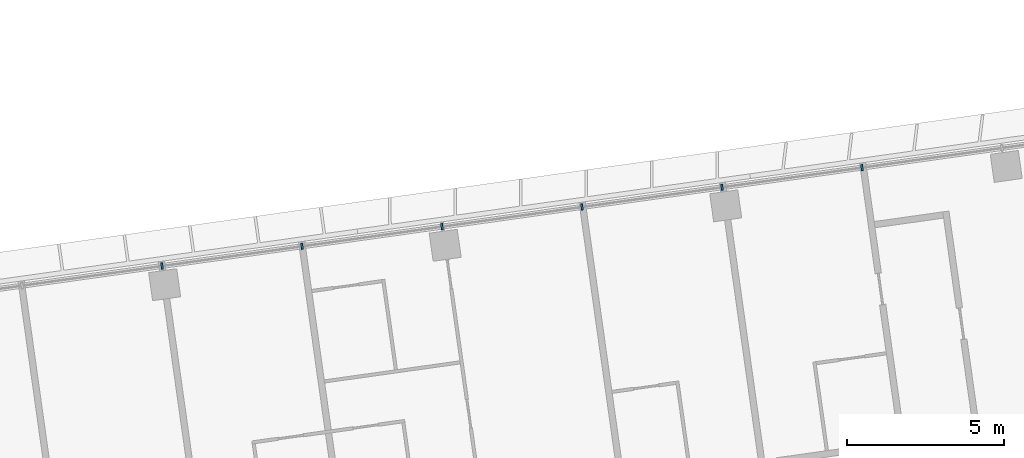
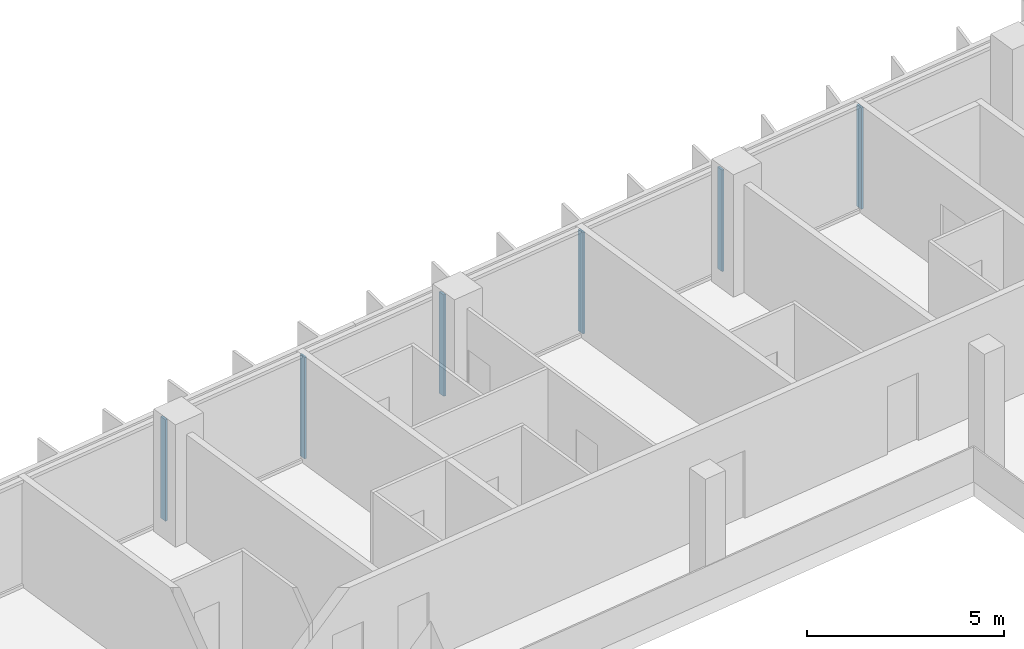
# One storey, part 10 of 26: 6 members, 1 element without a shape of its own.
"""IFC4 building model written with IfcOpenShell, lengths in metres."""

from ifc_helpers import new_model, si_unit, direction, frame, origin, origin_2d, place, context, subcontext, project, spatial, rectangle, extrude, material, material_profile, profile_set, type_object, element, aggregate, save


model = new_model("IFC4")

# Units and contexts
model_context = context("Model", 3, precision=1e-05, world=origin(), true_north=direction((0.0, 1.0)))
body_context = subcontext(model_context, "Body", "Model", "MODEL_VIEW")
ifc_project = project(units=[si_unit("LENGTHUNIT", "METRE"), si_unit("AREAUNIT", "SQUARE_METRE"), si_unit("VOLUMEUNIT", "CUBIC_METRE"), si_unit("PLANEANGLEUNIT", "RADIAN"), si_unit("MASSUNIT", "GRAM", prefix="KILO")], contexts=[model_context])

# Site, building, storey
site_placement = place(None, origin())
site = spatial("IfcSite", under=ifc_project, at=site_placement, CompositionType="ELEMENT")
building_placement = place(site_placement, origin())
building = spatial("IfcBuilding", under=site, at=building_placement, Name="Mirante Cascada Hotel Towers", CompositionType="ELEMENT")
storey_placement = place(building_placement, frame((0.0, 0.0, 140.5)))
storey = spatial("IfcBuildingStorey", under=building, at=storey_placement, Name="L32", CompositionType="ELEMENT", Elevation=140.5)

# Curtain wall, members
ifc_material_1 = material(Name="Aluminium mullion and transom frame with clear laminated glass", Category="aluminium")
curtain_wall_type = type_object("IfcCurtainWallType", Name="Ribbon curtain wall ECW1", PredefinedType="NOTDEFINED", material=ifc_material_1)
curtain_wall_placement = place(storey_placement, origin())
curtain_wall = element("IfcCurtainWall", 1, at=curtain_wall_placement, inside=storey, type_object=curtain_wall_type, Name="Front ribbon wall T2 L32", PredefinedType="NOTDEFINED")
ifc_material_2 = material(Name="Anodised aluminium extrusion", Category="aluminium")
ifc_material_profile = material_profile(ifc_material_2, rectangle(XDim=0.2, YDim=0.065, at=origin_2d()), Name="ECW1 MULLION 65x200")
ifc_profile_set = profile_set([ifc_material_profile], Name="Anodised aluminium extrusion")
member_type = type_object("IfcMemberType", Name="ECW1 mullion 65x200", PredefinedType="MULLION", material=ifc_profile_set)
member_1_placement = place(storey_placement, frame((85.2633, 24.802, 0.1), z_axis=(0.0, 0.0, 1.0), x_axis=(0.1391731, -0.9902681, 0.0)))
member_1 = element("IfcMember", 2, at=member_1_placement, type_object=member_type, Name="ECW1 mullion 3", PredefinedType="MULLION", context=body_context, shape_type="SweptSolid", body=[
    extrude(rectangle(XDim=0.2, YDim=0.065, at=origin_2d()), origin(), (0.0, 0.0, 1.0), 3.15),
])
member_2_placement = place(storey_placement, frame((80.8159, 24.177, 0.1), z_axis=(0.0, 0.0, 1.0), x_axis=(0.1391731, -0.9902681, 0.0)))
member_2 = element("IfcMember", 3, at=member_2_placement, type_object=member_type, Name="ECW1 mullion 4", PredefinedType="MULLION", context=body_context, shape_type="SweptSolid", body=[
    extrude(rectangle(XDim=0.2, YDim=0.065, at=origin_2d()), origin(), (0.0, 0.0, 1.0), 3.15),
])
member_3_placement = place(storey_placement, frame((76.3685, 23.5519, 0.1), z_axis=(0.0, 0.0, 1.0), x_axis=(0.1391731, -0.9902681, 0.0)))
member_3 = element("IfcMember", 4, at=member_3_placement, type_object=member_type, Name="ECW1 mullion 5", PredefinedType="MULLION", context=body_context, shape_type="SweptSolid", body=[
    extrude(rectangle(XDim=0.2, YDim=0.065, at=origin_2d()), origin(), (0.0, 0.0, 1.0), 3.15),
])
member_4_placement = place(storey_placement, frame((71.9211, 22.9269, 0.1), z_axis=(0.0, 0.0, 1.0), x_axis=(0.1391731, -0.9902681, 0.0)))
member_4 = element("IfcMember", 5, at=member_4_placement, type_object=member_type, Name="ECW1 mullion 6", PredefinedType="MULLION", context=body_context, shape_type="SweptSolid", body=[
    extrude(rectangle(XDim=0.2, YDim=0.065, at=origin_2d()), origin(), (0.0, 0.0, 1.0), 3.15),
])
member_5_placement = place(storey_placement, frame((67.4737, 22.3018, 0.1), z_axis=(0.0, 0.0, 1.0), x_axis=(0.1391731, -0.9902681, 0.0)))
member_5 = element("IfcMember", 6, at=member_5_placement, type_object=member_type, Name="ECW1 mullion 7", PredefinedType="MULLION", context=body_context, shape_type="SweptSolid", body=[
    extrude(rectangle(XDim=0.2, YDim=0.065, at=origin_2d()), origin(), (0.0, 0.0, 1.0), 3.15),
])
member_6_placement = place(storey_placement, frame((63.0262, 21.6768, 0.1), z_axis=(0.0, 0.0, 1.0), x_axis=(0.1391731, -0.9902681, 0.0)))
member_6 = element("IfcMember", 7, at=member_6_placement, type_object=member_type, Name="ECW1 mullion 8", PredefinedType="MULLION", context=body_context, shape_type="SweptSolid", body=[
    extrude(rectangle(XDim=0.2, YDim=0.065, at=origin_2d()), origin(), (0.0, 0.0, 1.0), 3.15),
])
aggregate(curtain_wall, [member_1, member_2, member_3, member_4, member_5, member_6])

save(model, "model.ifc")
